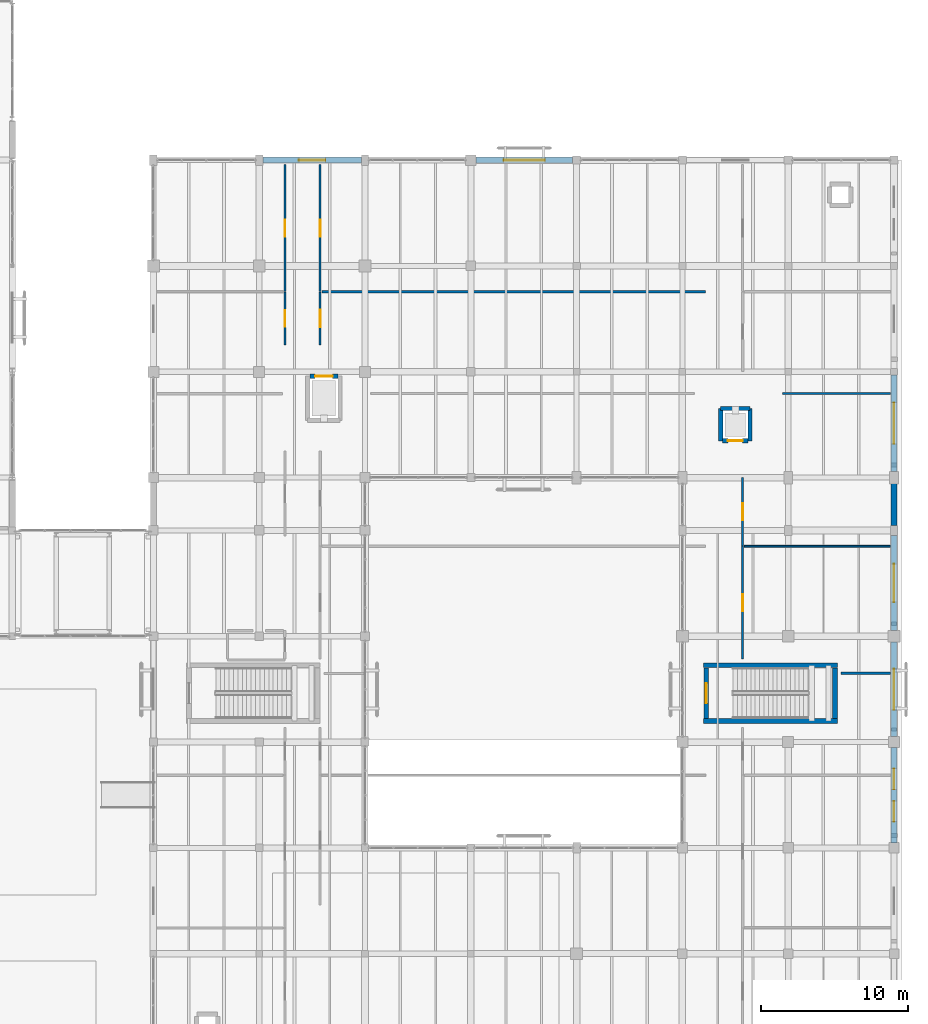
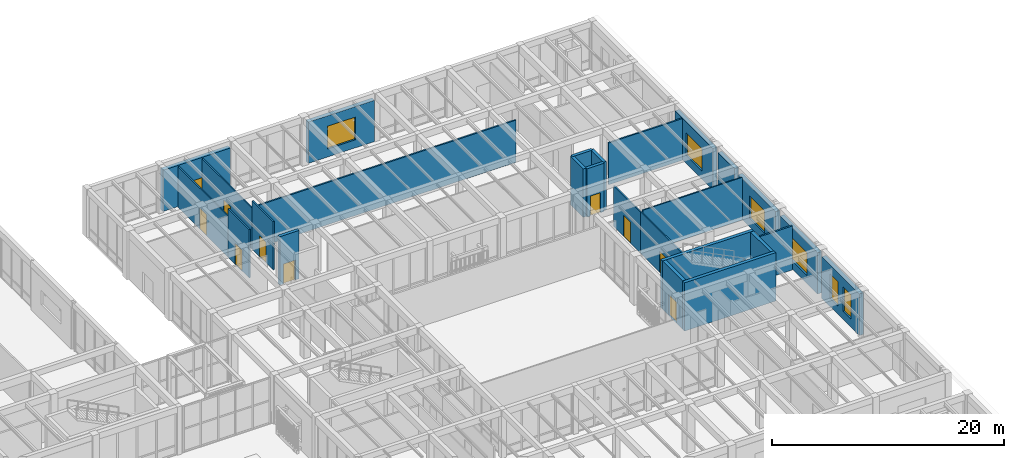
# One storey, part 132 of 169: 26 walls, 10 doors, 6 windows, 16 openings.
"""IFC4 building model written with IfcOpenShell, lengths in metres."""

from ifc_helpers import new_model, si_unit, direction, frame, frame_2d, origin, place, context, subcontext, project, spatial, rectangle, extrude, material, layer, layer_set, type_object, element, fill, save


model = new_model("IFC4")

# Units and contexts
model_context = context("Model", 3, precision=1e-05, world=origin(), true_north=direction((0.0, 1.0)))
body_context = subcontext(model_context, "Body", "Model", "MODEL_VIEW")
ifc_project = project(units=[si_unit("LENGTHUNIT", "METRE"), si_unit("AREAUNIT", "SQUARE_METRE"), si_unit("VOLUMEUNIT", "CUBIC_METRE"), si_unit("PLANEANGLEUNIT", "RADIAN"), si_unit("MASSUNIT", "GRAM", prefix="KILO")], contexts=[model_context])

# Site, building, storey
site_placement = place(None, origin())
site = spatial("IfcSite", under=ifc_project, at=site_placement, CompositionType="ELEMENT")
building_placement = place(site_placement, origin())
building = spatial("IfcBuilding", under=site, at=building_placement, Name="Mazaris Harbour Polytechnic", CompositionType="ELEMENT")
storey_placement = place(building_placement, origin())
storey = spatial("IfcBuildingStorey", under=building, at=storey_placement, Name="L00", CompositionType="ELEMENT", Elevation=0.0)

# Walls
ifc_material_1 = material(Name="Gypsum Board and Mineral Wool")
ifc_layer_1 = layer(ifc_material_1, 0.1201171875, Name="Gypsum Board and Mineral Wool")
ifc_layer_set_1 = layer_set([ifc_layer_1], Name="Gypsum Board and Mineral Wool")
wall_type_1 = type_object("IfcWallType", Name="Acoustic Stud Partition 120", PredefinedType="PARTITIONING", material=ifc_layer_set_1)
wall_1_placement = place(storey_placement, frame((162.6201171875, 81.72900390625, 0.0), z_axis=(0.0, 0.0, 1.0), x_axis=(1.0, 0.0, 0.0)))
element("IfcWall", 1, at=wall_1_placement, inside=storey, type_object=wall_type_1, Name="V5 L00 Partition 573", PredefinedType="PARTITIONING", context=body_context, shape_type="SweptSolid", body=[
    extrude(rectangle(XDim=9.929931640625, YDim=0.1201171875, at=frame_2d((4.96484375, 0.0))), origin(), (0.0, 0.0, 1.0), 4.5),
])
ifc_material_2 = material(Name="Double Gypsum and Mineral Wool")
ifc_layer_2 = layer(ifc_material_2, 0.14990234375, Name="Double Gypsum and Mineral Wool")
ifc_layer_set_2 = layer_set([ifc_layer_2], Name="Double Gypsum and Mineral Wool")
wall_type_2 = type_object("IfcWallType", Name="Classroom Acoustic Partition 150", PredefinedType="PARTITIONING", material=ifc_layer_set_2)
wall_2_placement = place(storey_placement, frame((133.8701171875, 99.0439453125, 0.0), z_axis=(0.0, 0.0, 1.0), x_axis=(1.0, 0.0, 0.0)))
element("IfcWall", 2, at=wall_2_placement, inside=storey, type_object=wall_type_2, Name="V5 L00 Partition 564", PredefinedType="PARTITIONING", context=body_context, shape_type="SweptSolid", body=[
    extrude(rectangle(XDim=26.10986328125, YDim=0.14990234375, at=frame_2d((13.054931640625, 0.0))), origin(), (0.0, 0.0, 1.0), 4.449951171875),
])
wall_3_placement = place(storey_placement, frame((165.205078125, 92.117919921875, 0.0), z_axis=(0.0, 0.0, 1.0), x_axis=(1.0, 0.0, 0.0)))
element("IfcWall", 3, at=wall_3_placement, inside=storey, type_object=wall_type_2, Name="V5 L00 Partition 575", PredefinedType="PARTITIONING", context=body_context, shape_type="SweptSolid", body=[
    extrude(rectangle(XDim=7.344970703125, YDim=0.14990234375, at=frame_2d((3.67236328125, 0.0))), origin(), (0.0, 0.0, 1.0), 4.39990234375),
])
ifc_material_3 = material(Name="Fireboard and Mineral Wool")
ifc_layer_3 = layer(ifc_material_3, 0.1650390625, Name="Fireboard and Mineral Wool")
ifc_layer_set_3 = layer_set([ifc_layer_3], Name="Fireboard and Mineral Wool")
wall_type_3 = type_object("IfcWallType", Name="Laboratory Rated Partition 165", PredefinedType="PARTITIONING", material=ifc_layer_set_3)
wall_4_placement = place(storey_placement, frame((169.205078125, 73.072021484375, 0.0), z_axis=(0.0, 0.0, 1.0), x_axis=(1.0, 0.0, 0.0)))
element("IfcWall", 4, at=wall_4_placement, inside=storey, type_object=wall_type_3, Name="V5 L00 Partition 571", PredefinedType="PARTITIONING", context=body_context, shape_type="SweptSolid", body=[
    extrude(rectangle(XDim=3.344970703125, YDim=0.1650390625, at=frame_2d((1.67236328125, 0.0))), origin(), (0.0, 0.0, 1.0), 4.64990234375),
])

# Wall, opening, door
ifc_material_4 = material(Name="Algerian Buff Limestone and Concrete C35/45", Category="masonry")
ifc_layer_4 = layer(ifc_material_4, 0.409912109375, Name="Algerian Buff Limestone and Concrete C35/45")
ifc_layer_set_4 = layer_set([ifc_layer_4], Name="Algerian Buff Limestone and Concrete C35/45")
wall_type_4 = type_object("IfcWallType", Name="Limestone Rusticated Base Wall 410", PredefinedType="STANDARD", material=ifc_layer_set_4)
wall_5_placement = place(storey_placement, frame((129.842041015625, 108.0, 0.0), z_axis=(0.0, 0.0, 1.0), x_axis=(1.0, 0.0, 0.0)))
wall_5 = element("IfcWall", 5, at=wall_5_placement, inside=storey, type_object=wall_type_4, Name="V5 L00 Exterior Wall 295", PredefinedType="STANDARD", context=body_context, shape_type="SweptSolid", body=[
    extrude(rectangle(XDim=6.716064453125, YDim=0.409912109375, at=frame_2d((3.35791015625, 0.0))), origin(), (0.0, 0.0, 1.0), 4.35009765625),
])
opening_1_placement = place(wall_5_placement, frame((2.4580078125, 0.0, 0.0)))
opening_1 = element("IfcOpeningElement", 6, at=opening_1_placement, cuts=wall_5, Name="Opening ED-03", PredefinedType="OPENING", context=body_context, shape_type="SweptSolid", body=[
    extrude(rectangle(XDim=1.800048828125, YDim=2.199951171875, at=frame_2d((0.89990234375, 1.10009765625))), frame((0.0, 0.21484375, 0.0), z_axis=(0.0, -1.0, 0.0), x_axis=(1.0, 0.0, 0.0)), (0.0, 0.0, 1.0), 0.429931640625),
])
ifc_material_5 = material(Name="Anodised Bronze Steel and Laminated Safety Glass", Category="steel")
door_type_1 = type_object("IfcDoorType", Name="Perimeter Final Exit Door 1800x2200", OperationType="DOUBLE_DOOR_SINGLE_SWING", PredefinedType="DOOR", material=ifc_material_5)
door_1_placement = place(opening_1_placement, origin())
door_1 = element("IfcDoor", 7, at=door_1_placement, inside=storey, type_object=door_type_1, Name="EXD-030", OperationType="DOUBLE_DOOR_SINGLE_SWING", OverallHeight=2.199951171875, OverallWidth=1.800048828125, PredefinedType="DOOR", context=body_context, shape_type="SweptSolid", body=[
    extrude(rectangle(XDim=1.800048828125, YDim=2.199951171875, at=frame_2d((0.89990234375, 1.10009765625))), frame((0.0, 0.02490234375, 0.0), z_axis=(0.0, -1.0, 0.0), x_axis=(1.0, 0.0, 0.0)), (0.0, 0.0, 1.0), 0.050048828125),
])
fill(opening_1, door_1)

# Wall, opening, window
wall_6_placement = place(storey_placement, frame((144.342041015625, 108.0, 0.0), z_axis=(0.0, 0.0, 1.0), x_axis=(1.0, 0.0, 0.0)))
wall_6 = element("IfcWall", 8, at=wall_6_placement, inside=storey, type_object=wall_type_4, Name="V5 L00 Exterior Wall 296", PredefinedType="STANDARD", context=body_context, shape_type="SweptSolid", body=[
    extrude(rectangle(XDim=6.591064453125, YDim=0.409912109375, at=frame_2d((3.29541015625, 0.0))), origin(), (0.0, 0.0, 1.0), 4.35009765625),
])
opening_2_placement = place(wall_6_placement, frame((1.8955078125, 0.0, 0.85009765625)))
opening_2 = element("IfcOpeningElement", 9, at=opening_2_placement, cuts=wall_6, Name="Opening WN-09", PredefinedType="OPENING", context=body_context, shape_type="SweptSolid", body=[
    extrude(rectangle(XDim=2.800048828125, YDim=2.39990234375, at=frame_2d((1.39990234375, 1.199951171875))), frame((0.0, 0.21484375, 0.0), z_axis=(0.0, -1.0, 0.0), x_axis=(1.0, 0.0, 0.0)), (0.0, 0.0, 1.0), 0.429931640625),
])
ifc_material_6 = material(Name="Thermally Broken Bronze Aluminium and Low-E Glass", Category="aluminium")
window_type_1 = type_object("IfcWindowType", Name="Studio North Window 2800x2400", PartitioningType="DOUBLE_PANEL_VERTICAL", PredefinedType="WINDOW", material=ifc_material_6)
window_1_placement = place(opening_2_placement, origin())
window_1 = element("IfcWindow", 10, at=window_1_placement, inside=storey, type_object=window_type_1, Name="WN-0354", OverallHeight=2.39990234375, OverallWidth=2.800048828125, PartitioningType="DOUBLE_PANEL_VERTICAL", PredefinedType="WINDOW", context=body_context, shape_type="SweptSolid", body=[
    extrude(rectangle(XDim=2.800048828125, YDim=2.39990234375, at=frame_2d((1.39990234375, 1.199951171875))), frame((0.0, 0.030029296875, 0.0), z_axis=(0.0, -1.0, 0.0), x_axis=(1.0, 0.0, 0.0)), (0.0, 0.0, 1.0), 0.06005859375),
])
fill(opening_2, window_1)

# Wall, openings, windows
wall_7_placement = place(storey_placement, frame((172.800048828125, 68.032958984375, 0.0), z_axis=(0.0, 0.0, 1.0), x_axis=(0.0, -1.0, 0.0)))
wall_7 = element("IfcWall", 11, at=wall_7_placement, inside=storey, type_object=wall_type_4, Name="V5 L00 Exterior Wall 304", PredefinedType="STANDARD", context=body_context, shape_type="SweptSolid", body=[
    extrude(rectangle(XDim=6.490966796875, YDim=0.409912109375, at=frame_2d((3.24560546875, 0.0))), origin(), (0.0, 0.0, 1.0), 4.39990234375),
])
opening_3_placement = place(wall_7_placement, frame((1.445556640625, 0.0, 0.85009765625)))
opening_3 = element("IfcOpeningElement", 12, at=opening_3_placement, cuts=wall_7, Name="Opening WN-01", PredefinedType="OPENING", context=body_context, shape_type="SweptSolid", body=[
    extrude(rectangle(XDim=1.39990234375, YDim=2.60009765625, at=frame_2d((0.699951171875, 1.300048828125))), frame((0.0, 0.21484375, 0.0), z_axis=(0.0, -1.0, 0.0), x_axis=(1.0, 0.0, 0.0)), (0.0, 0.0, 1.0), 0.429931640625),
])
opening_4_placement = place(wall_7_placement, frame((3.6455078125, 0.0, 0.85009765625)))
opening_4 = element("IfcOpeningElement", 13, at=opening_4_placement, cuts=wall_7, Name="Opening WN-01", PredefinedType="OPENING", context=body_context, shape_type="SweptSolid", body=[
    extrude(rectangle(XDim=1.39990234375, YDim=2.60009765625, at=frame_2d((0.699951171875, 1.300048828125))), frame((0.0, 0.21484375, 0.0), z_axis=(0.0, -1.0, 0.0), x_axis=(1.0, 0.0, 0.0)), (0.0, 0.0, 1.0), 0.429931640625),
])
ifc_material_7 = material(Name="Thermally Broken Bronze Aluminium and Low-E Glass", Category="aluminium")
window_type_2 = type_object("IfcWindowType", Name="Neoclassical Tall Window 1400x2600", PartitioningType="DOUBLE_PANEL_VERTICAL", PredefinedType="WINDOW", material=ifc_material_7)
window_2_placement = place(opening_3_placement, origin())
window_2 = element("IfcWindow", 14, at=window_2_placement, inside=storey, type_object=window_type_2, Name="WN-0357", OverallHeight=2.60009765625, OverallWidth=1.39990234375, PartitioningType="DOUBLE_PANEL_VERTICAL", PredefinedType="WINDOW", context=body_context, shape_type="SweptSolid", body=[
    extrude(rectangle(XDim=1.39990234375, YDim=2.60009765625, at=frame_2d((0.699951171875, 1.300048828125))), frame((0.0, 0.030029296875, 0.0), z_axis=(0.0, -1.0, 0.0), x_axis=(1.0, 0.0, 0.0)), (0.0, 0.0, 1.0), 0.06005859375),
])
fill(opening_3, window_2)
window_3_placement = place(opening_4_placement, origin())
window_3 = element("IfcWindow", 15, at=window_3_placement, inside=storey, type_object=window_type_2, Name="WN-0358", OverallHeight=2.60009765625, OverallWidth=1.39990234375, PartitioningType="DOUBLE_PANEL_VERTICAL", PredefinedType="WINDOW", context=body_context, shape_type="SweptSolid", body=[
    extrude(rectangle(XDim=1.39990234375, YDim=2.60009765625, at=frame_2d((0.699951171875, 1.300048828125))), frame((0.0, 0.030029296875, 0.0), z_axis=(0.0, -1.0, 0.0), x_axis=(1.0, 0.0, 0.0)), (0.0, 0.0, 1.0), 0.06005859375),
])
fill(opening_4, window_3)

# Wall, opening, window
wall_8_placement = place(storey_placement, frame((172.800048828125, 75.2080078125, 0.0), z_axis=(0.0, 0.0, 1.0), x_axis=(0.0, -1.0, 0.0)))
wall_8 = element("IfcWall", 16, at=wall_8_placement, inside=storey, type_object=wall_type_4, Name="V5 L00 Exterior Wall 305", PredefinedType="STANDARD", context=body_context, shape_type="SweptSolid", body=[
    extrude(rectangle(XDim=6.44091796875, YDim=0.409912109375, at=frame_2d((3.220458984375, 0.0))), origin(), (0.0, 0.0, 1.0), 4.35009765625),
])
opening_5_placement = place(wall_8_placement, frame((1.820556640625, 0.0, 0.85009765625)))
opening_5 = element("IfcOpeningElement", 17, at=opening_5_placement, cuts=wall_8, Name="Opening WN-09", PredefinedType="OPENING", context=body_context, shape_type="SweptSolid", body=[
    extrude(rectangle(XDim=2.800048828125, YDim=2.39990234375, at=frame_2d((1.39990234375, 1.199951171875))), frame((0.0, 0.21484375, 0.0), z_axis=(0.0, -1.0, 0.0), x_axis=(1.0, 0.0, 0.0)), (0.0, 0.0, 1.0), 0.429931640625),
])
window_4_placement = place(opening_5_placement, origin())
window_4 = element("IfcWindow", 18, at=window_4_placement, inside=storey, type_object=window_type_1, Name="WN-0359", OverallHeight=2.39990234375, OverallWidth=2.800048828125, PartitioningType="DOUBLE_PANEL_VERTICAL", PredefinedType="WINDOW", context=body_context, shape_type="SweptSolid", body=[
    extrude(rectangle(XDim=2.800048828125, YDim=2.39990234375, at=frame_2d((1.39990234375, 1.199951171875))), frame((0.0, 0.030029296875, 0.0), z_axis=(0.0, -1.0, 0.0), x_axis=(1.0, 0.0, 0.0)), (0.0, 0.0, 1.0), 0.06005859375),
])
fill(opening_5, window_4)

wall_9_placement = place(storey_placement, frame((172.800048828125, 82.4580078125, 0.0), z_axis=(0.0, 0.0, 1.0), x_axis=(0.0, -1.0, 0.0)))
wall_9 = element("IfcWall", 19, at=wall_9_placement, inside=storey, type_object=wall_type_4, Name="V5 L00 Exterior Wall 306", PredefinedType="STANDARD", context=body_context, shape_type="SweptSolid", body=[
    extrude(rectangle(XDim=6.466064453125, YDim=0.409912109375, at=frame_2d((3.23291015625, 0.0))), origin(), (0.0, 0.0, 1.0), 4.300048828125),
])
opening_6_placement = place(wall_9_placement, frame((1.93310546875, 0.0, 0.85009765625)))
opening_6 = element("IfcOpeningElement", 20, at=opening_6_placement, cuts=wall_9, Name="Opening WN-08", PredefinedType="OPENING", context=body_context, shape_type="SweptSolid", body=[
    extrude(rectangle(XDim=2.60009765625, YDim=2.39990234375, at=frame_2d((1.300048828125, 1.199951171875))), frame((0.0, 0.21484375, 0.0), z_axis=(0.0, -1.0, 0.0), x_axis=(1.0, 0.0, 0.0)), (0.0, 0.0, 1.0), 0.429931640625),
])
ifc_material_8 = material(Name="Thermally Broken Bronze Aluminium and Low-E Glass", Category="aluminium")
window_type_3 = type_object("IfcWindowType", Name="Studio North Window 2600x2400", PartitioningType="DOUBLE_PANEL_VERTICAL", PredefinedType="WINDOW", material=ifc_material_8)
window_5_placement = place(opening_6_placement, origin())
window_5 = element("IfcWindow", 21, at=window_5_placement, inside=storey, type_object=window_type_3, Name="WN-0360", OverallHeight=2.39990234375, OverallWidth=2.60009765625, PartitioningType="DOUBLE_PANEL_VERTICAL", PredefinedType="WINDOW", context=body_context, shape_type="SweptSolid", body=[
    extrude(rectangle(XDim=2.60009765625, YDim=2.39990234375, at=frame_2d((1.300048828125, 1.199951171875))), frame((0.0, 0.030029296875, 0.0), z_axis=(0.0, -1.0, 0.0), x_axis=(1.0, 0.0, 0.0)), (0.0, 0.0, 1.0), 0.06005859375),
])
fill(opening_6, window_5)

# Wall
wall_10_placement = place(storey_placement, frame((172.800048828125, 85.98291015625, 0.0), z_axis=(0.0, 0.0, 1.0), x_axis=(0.0, -1.0, 0.0)))
element("IfcWall", 22, at=wall_10_placement, inside=storey, type_object=wall_type_4, Name="V5 L00 Exterior Wall 307", PredefinedType="STANDARD", context=body_context, shape_type="SweptSolid", body=[
    extrude(rectangle(XDim=2.8408203125, YDim=0.409912109375, at=frame_2d((1.42041015625, 0.0))), origin(), (0.0, 0.0, 1.0), 4.5),
])

# Wall, opening, window
wall_11_placement = place(storey_placement, frame((172.800048828125, 93.383056640625, 0.0), z_axis=(0.0, 0.0, 1.0), x_axis=(0.0, -1.0, 0.0)))
wall_11 = element("IfcWall", 23, at=wall_11_placement, inside=storey, type_object=wall_type_4, Name="V5 L00 Exterior Wall 308", PredefinedType="STANDARD", context=body_context, shape_type="SweptSolid", body=[
    extrude(rectangle(XDim=6.566162109375, YDim=0.409912109375, at=frame_2d((3.283203125, 0.0))), origin(), (0.0, 0.0, 1.0), 4.39990234375),
])
opening_7_placement = place(wall_11_placement, frame((1.883056640625, 0.0, 0.85009765625)))
opening_7 = element("IfcOpeningElement", 24, at=opening_7_placement, cuts=wall_11, Name="Opening WN-09", PredefinedType="OPENING", context=body_context, shape_type="SweptSolid", body=[
    extrude(rectangle(XDim=2.800048828125, YDim=2.39990234375, at=frame_2d((1.39990234375, 1.199951171875))), frame((0.0, 0.21484375, 0.0), z_axis=(0.0, -1.0, 0.0), x_axis=(1.0, 0.0, 0.0)), (0.0, 0.0, 1.0), 0.429931640625),
])
window_6_placement = place(opening_7_placement, origin())
window_6 = element("IfcWindow", 25, at=window_6_placement, inside=storey, type_object=window_type_1, Name="WN-0361", OverallHeight=2.39990234375, OverallWidth=2.800048828125, PartitioningType="DOUBLE_PANEL_VERTICAL", PredefinedType="WINDOW", context=body_context, shape_type="SweptSolid", body=[
    extrude(rectangle(XDim=2.800048828125, YDim=2.39990234375, at=frame_2d((1.39990234375, 1.199951171875))), frame((0.0, 0.030029296875, 0.0), z_axis=(0.0, -1.0, 0.0), x_axis=(1.0, 0.0, 0.0)), (0.0, 0.0, 1.0), 0.06005859375),
])
fill(opening_7, window_6)

# Walls
ifc_material_9 = material(Name="Concrete C40/50", Category="concrete")
ifc_layer_5 = layer(ifc_material_9, 0.324951171875, Name="Concrete C40/50")
ifc_layer_set_5 = layer_set([ifc_layer_5], Name="Concrete C40/50")
wall_type_5 = type_object("IfcWallType", Name="RC Core Shear Wall 325", PredefinedType="SHEAR", material=ifc_layer_set_5)
for number, where, z_axis, x_axis, name in (
    (26, (159.85009765625, 69.824951171875, 0.0), (0.0, 0.0, 1.0), (1.0, 0.0, 0.0), "Core ST10 L00 Shear Wall S"),
    (27, (168.949951171875, 73.625, 0.0), (0.0, 0.0, 1.0), (-1.0, 0.0, 0.0), "Core ST10 L00 Shear Wall N"),
):
    element("IfcWall", number, at=place(storey_placement, frame(where, z_axis=z_axis, x_axis=x_axis)), inside=storey, type_object=wall_type_5, Name=name, PredefinedType="SHEAR", context=body_context, shape_type="SweptSolid", body=[
        extrude(rectangle(XDim=9.099853515625, YDim=0.324951171875, at=frame_2d((4.5498046875, 0.0))), origin(), (0.0, 0.0, 1.0), 5.10009765625),
    ])
wall_12_placement = place(storey_placement, frame((168.77490234375, 70.0, 0.0), z_axis=(0.0, 0.0, 1.0), x_axis=(0.0, 1.0, 0.0)))
element("IfcWall", 28, at=wall_12_placement, inside=storey, type_object=wall_type_5, Name="Core ST10 L00 Shear Wall E", PredefinedType="SHEAR", context=body_context, shape_type="SweptSolid", body=[
    extrude(rectangle(XDim=3.449951171875, YDim=0.324951171875, at=frame_2d((1.72509765625, 0.0))), origin(), (0.0, 0.0, 1.0), 5.10009765625),
])

# Wall, opening, door
wall_13_placement = place(storey_placement, frame((160.02490234375, 73.449951171875, 0.0), z_axis=(0.0, 0.0, 1.0), x_axis=(0.0, -1.0, 0.0)))
wall_13 = element("IfcWall", 29, at=wall_13_placement, inside=storey, type_object=wall_type_5, Name="Core ST10 L00 Entrance Shear Wall", PredefinedType="SHEAR", context=body_context, shape_type="SweptSolid", body=[
    extrude(rectangle(XDim=3.449951171875, YDim=0.324951171875, at=frame_2d((1.72509765625, 0.0))), origin(), (0.0, 0.0, 1.0), 5.10009765625),
])
opening_8_placement = place(wall_13_placement, frame((1.034912109375, 0.0, 0.0)))
opening_8 = element("IfcOpeningElement", 30, at=opening_8_placement, cuts=wall_13, Name="Opening SD-01", PredefinedType="OPENING", context=body_context, shape_type="SweptSolid", body=[
    extrude(rectangle(XDim=1.3798828125, YDim=2.199951171875, at=frame_2d((0.68994140625, 1.10009765625))), frame((0.0, 0.17236328125, 0.0), z_axis=(0.0, -1.0, 0.0), x_axis=(1.0, 0.0, 0.0)), (0.0, 0.0, 1.0), 0.344970703125),
])
ifc_material_10 = material(Name="Glulam Timber and Fire Glass", Category="wood")
door_type_2 = type_object("IfcDoorType", Name="Protected Stair Lobby Fire Door 1380x2200", OperationType="DOUBLE_DOOR_SINGLE_SWING", PredefinedType="DOOR", material=ifc_material_10)
door_2_placement = place(opening_8_placement, origin())
door_2 = element("IfcDoor", 31, at=door_2_placement, inside=storey, type_object=door_type_2, Name="SD-049", OperationType="DOUBLE_DOOR_SINGLE_SWING", OverallHeight=2.199951171875, OverallWidth=1.3798828125, PredefinedType="DOOR", context=body_context, shape_type="SweptSolid", body=[
    extrude(rectangle(XDim=1.3798828125, YDim=2.199951171875, at=frame_2d((0.68994140625, 1.10009765625))), frame((0.0, 0.02490234375, 0.0), z_axis=(0.0, -1.0, 0.0), x_axis=(1.0, 0.0, 0.0)), (0.0, 0.0, 1.0), 0.050048828125),
])
fill(opening_8, door_2)

# Walls
ifc_material_11 = material(Name="Concrete C40/50", Category="concrete")
ifc_layer_6 = layer(ifc_material_11, 0.300048828125, Name="Concrete C40/50")
ifc_layer_set_6 = layer_set([ifc_layer_6], Name="Concrete C40/50")
wall_type_6 = type_object("IfcWallType", Name="RC Lift Shaft Wall 300", PredefinedType="SHEAR", material=ifc_layer_set_6)
wall_14_placement = place(storey_placement, frame((163.0, 91.10009765625, 0.0), z_axis=(0.0, 0.0, 1.0), x_axis=(-1.0, 0.0, 0.0)))
element("IfcWall", 32, at=wall_14_placement, inside=storey, type_object=wall_type_6, Name="Lift LP-04 L00 North Shaft Wall", PredefinedType="SHEAR", context=body_context, shape_type="SweptSolid", body=[
    extrude(rectangle(XDim=2.0, YDim=0.300048828125, at=frame_2d((1.0, 0.0))), origin(), (0.0, 0.0, 1.0), 5.10009765625),
])
for number, where, z_axis, x_axis, name in (
    (33, (161.0, 91.10009765625, 0.0), (0.0, 0.0, 1.0), (0.0, -1.0, 0.0), "Lift LP-04 L00 West Shaft Wall"),
    (34, (163.0, 88.89990234375, 0.0), (0.0, 0.0, 1.0), (0.0, 1.0, 0.0), "Lift LP-04 L00 East Shaft Wall"),
):
    element("IfcWall", number, at=place(storey_placement, frame(where, z_axis=z_axis, x_axis=x_axis)), inside=storey, type_object=wall_type_6, Name=name, PredefinedType="SHEAR", context=body_context, shape_type="SweptSolid", body=[
        extrude(rectangle(XDim=2.2001953125, YDim=0.300048828125, at=frame_2d((1.10009765625, 0.0))), origin(), (0.0, 0.0, 1.0), 5.10009765625),
    ])

# Wall, opening, door
wall_15_placement = place(storey_placement, frame((133.0400390625, 93.300048828125, 0.0), z_axis=(0.0, 0.0, 1.0), x_axis=(1.0, 0.0, 0.0)))
wall_15 = element("IfcWall", 35, at=wall_15_placement, inside=storey, type_object=wall_type_6, Name="Lift LF-02 L00 Front Shaft Wall", PredefinedType="SHEAR", context=body_context, shape_type="SweptSolid", body=[
    extrude(rectangle(XDim=1.919921875, YDim=0.300048828125, at=frame_2d((0.9599609375, 0.0))), origin(), (0.0, 0.0, 1.0), 5.10009765625),
])
opening_9_placement = place(wall_15_placement, frame((0.360107421875, 0.0, 0.0)))
opening_9 = element("IfcOpeningElement", 36, at=opening_9_placement, cuts=wall_15, Name="Opening LD-02", PredefinedType="OPENING", context=body_context, shape_type="SweptSolid", body=[
    extrude(rectangle(XDim=1.199951171875, YDim=2.10009765625, at=frame_2d((0.60009765625, 1.050048828125))), frame((0.0, 0.159912109375, 0.0), z_axis=(0.0, -1.0, 0.0), x_axis=(1.0, 0.0, 0.0)), (0.0, 0.0, 1.0), 0.320068359375),
])
ifc_material_12 = material(Name="Stainless Steel S355", Category="steel")
door_type_3 = type_object("IfcDoorType", Name="Sliding Firefighting Lift Landing Door 1200x2100", OperationType="SLIDING_TO_LEFT", PredefinedType="DOOR", material=ifc_material_12)
door_3_placement = place(opening_9_placement, origin())
door_3 = element("IfcDoor", 37, at=door_3_placement, inside=storey, type_object=door_type_3, Name="LD-009", OperationType="SLIDING_TO_LEFT", OverallHeight=2.10009765625, OverallWidth=1.199951171875, PredefinedType="DOOR", context=body_context, shape_type="SweptSolid", body=[
    extrude(rectangle(XDim=1.199951171875, YDim=2.10009765625, at=frame_2d((0.60009765625, 1.050048828125))), frame((0.0, 0.02490234375, 0.0), z_axis=(0.0, -1.0, 0.0), x_axis=(1.0, 0.0, 0.0)), (0.0, 0.0, 1.0), 0.050048828125),
])
fill(opening_9, door_3)

wall_16_placement = place(storey_placement, frame((162.860107421875, 88.89990234375, 0.0), z_axis=(0.0, 0.0, 1.0), x_axis=(-1.0, 0.0, 0.0)))
wall_16 = element("IfcWall", 38, at=wall_16_placement, inside=storey, type_object=wall_type_6, Name="Lift LP-04 L00 Front Shaft Wall", PredefinedType="SHEAR", context=body_context, shape_type="SweptSolid", body=[
    extrude(rectangle(XDim=1.72021484375, YDim=0.300048828125, at=frame_2d((0.860107421875, 0.0))), origin(), (0.0, 0.0, 1.0), 5.10009765625),
])
opening_10_placement = place(wall_16_placement, frame((0.360107421875, 0.0, 0.0)))
opening_10 = element("IfcOpeningElement", 39, at=opening_10_placement, cuts=wall_16, Name="Opening LD-01", PredefinedType="OPENING", context=body_context, shape_type="SweptSolid", body=[
    extrude(rectangle(XDim=1.0, YDim=2.10009765625, at=frame_2d((0.5, 1.050048828125))), frame((0.0, 0.159912109375, 0.0), z_axis=(0.0, -1.0, 0.0), x_axis=(1.0, 0.0, 0.0)), (0.0, 0.0, 1.0), 0.320068359375),
])
ifc_material_13 = material(Name="Stainless Steel S355", Category="steel")
door_type_4 = type_object("IfcDoorType", Name="Sliding Passenger Lift Landing Door 1000x2100", OperationType="SLIDING_TO_LEFT", PredefinedType="DOOR", material=ifc_material_13)
door_4_placement = place(opening_10_placement, origin())
door_4 = element("IfcDoor", 40, at=door_4_placement, inside=storey, type_object=door_type_4, Name="LD-031", OperationType="SLIDING_TO_LEFT", OverallHeight=2.10009765625, OverallWidth=1.0, PredefinedType="DOOR", context=body_context, shape_type="SweptSolid", body=[
    extrude(rectangle(XDim=1.0, YDim=2.10009765625, at=frame_2d((0.5, 1.050048828125))), frame((0.0, 0.02490234375, 0.0), z_axis=(0.0, -1.0, 0.0), x_axis=(1.0, 0.0, 0.0)), (0.0, 0.0, 1.0), 0.050048828125),
])
fill(opening_10, door_4)

ifc_material_14 = material(Name="Gypsum Board and Mineral Wool")
ifc_layer_7 = layer(ifc_material_14, 0.135009765625, Name="Gypsum Board and Mineral Wool")
ifc_layer_set_7 = layer_set([ifc_layer_7], Name="Gypsum Board and Mineral Wool")
wall_type_7 = type_object("IfcWallType", Name="Studio Partition Wall 135", PredefinedType="PARTITIONING", material=ifc_layer_set_7)
wall_17_placement = place(storey_placement, frame((131.35009765625, 95.405029296875, 0.0), z_axis=(0.0, 0.0, 1.0), x_axis=(0.0, 1.0, 0.0)))
wall_17 = element("IfcWall", 41, at=wall_17_placement, inside=storey, type_object=wall_type_7, Name="V5 L00 Partition 551", PredefinedType="PARTITIONING", context=body_context, shape_type="SweptSolid", body=[
    extrude(rectangle(XDim=3.638916015625, YDim=0.135009765625, at=frame_2d((1.8193359375, 0.0))), origin(), (0.0, 0.0, 1.0), 5.10009765625),
])
opening_11_placement = place(wall_17_placement, frame((1.244384765625, 0.0, 0.0)))
opening_11 = element("IfcOpeningElement", 42, at=opening_11_placement, cuts=wall_17, Name="Opening ID-03L", PredefinedType="OPENING", context=body_context, shape_type="SweptSolid", body=[
    extrude(rectangle(XDim=1.14990234375, YDim=2.199951171875, at=frame_2d((0.574951171875, 1.10009765625))), frame((0.0, 0.077392578125, 0.0), z_axis=(0.0, -1.0, 0.0), x_axis=(1.0, 0.0, 0.0)), (0.0, 0.0, 1.0), 0.155029296875),
])
ifc_material_15 = material(Name="Glulam Timber and Acoustic Glass", Category="wood")
door_type_5 = type_object("IfcDoorType", Name="Design Studio Door LH 1150x2200", OperationType="SINGLE_SWING_LEFT", PredefinedType="DOOR", material=ifc_material_15)
door_5_placement = place(opening_11_placement, origin())
door_5 = element("IfcDoor", 43, at=door_5_placement, inside=storey, type_object=door_type_5, Name="ID-0264", OperationType="SINGLE_SWING_LEFT", OverallHeight=2.199951171875, OverallWidth=1.14990234375, PredefinedType="DOOR", context=body_context, shape_type="SweptSolid", body=[
    extrude(rectangle(XDim=1.14990234375, YDim=2.199951171875, at=frame_2d((0.574951171875, 1.10009765625))), frame((0.0, 0.02490234375, 0.0), z_axis=(0.0, -1.0, 0.0), x_axis=(1.0, 0.0, 0.0)), (0.0, 0.0, 1.0), 0.050048828125),
])
fill(opening_11, door_5)

wall_18_placement = place(storey_placement, frame((131.35009765625, 99.049072265625, 0.0), z_axis=(0.0, 0.0, 1.0), x_axis=(0.0, 1.0, 0.0)))
wall_18 = element("IfcWall", 44, at=wall_18_placement, inside=storey, type_object=wall_type_7, Name="V5 L00 Partition 553", PredefinedType="PARTITIONING", context=body_context, shape_type="SweptSolid", body=[
    extrude(rectangle(XDim=8.65185546875, YDim=0.135009765625, at=frame_2d((4.325927734375, 0.0))), origin(), (0.0, 0.0, 1.0), 4.300048828125),
])
opening_12_placement = place(wall_18_placement, frame((3.74609375, 0.0, 0.0)))
opening_12 = element("IfcOpeningElement", 45, at=opening_12_placement, cuts=wall_18, Name="Opening ID-03R", PredefinedType="OPENING", context=body_context, shape_type="SweptSolid", body=[
    extrude(rectangle(XDim=1.159912109375, YDim=2.199951171875, at=frame_2d((0.580078125, 1.10009765625))), frame((0.0, 0.077392578125, 0.0), z_axis=(0.0, -1.0, 0.0), x_axis=(1.0, 0.0, 0.0)), (0.0, 0.0, 1.0), 0.155029296875),
])
ifc_material_16 = material(Name="Glulam Timber and Acoustic Glass", Category="wood")
door_type_6 = type_object("IfcDoorType", Name="Design Studio Door RH 1160x2200", OperationType="SINGLE_SWING_RIGHT", PredefinedType="DOOR", material=ifc_material_16)
door_6_placement = place(opening_12_placement, origin())
door_6 = element("IfcDoor", 46, at=door_6_placement, inside=storey, type_object=door_type_6, Name="ID-0265", OperationType="SINGLE_SWING_RIGHT", OverallHeight=2.199951171875, OverallWidth=1.159912109375, PredefinedType="DOOR", context=body_context, shape_type="SweptSolid", body=[
    extrude(rectangle(XDim=1.159912109375, YDim=2.199951171875, at=frame_2d((0.580078125, 1.10009765625))), frame((0.0, 0.02490234375, 0.0), z_axis=(0.0, -1.0, 0.0), x_axis=(1.0, 0.0, 0.0)), (0.0, 0.0, 1.0), 0.050048828125),
])
fill(opening_12, door_6)

wall_19_placement = place(storey_placement, frame((133.75, 95.405029296875, 0.0), z_axis=(0.0, 0.0, 1.0), x_axis=(0.0, 1.0, 0.0)))
wall_19 = element("IfcWall", 47, at=wall_19_placement, inside=storey, type_object=wall_type_7, Name="V5 L00 Partition 563", PredefinedType="PARTITIONING", context=body_context, shape_type="SweptSolid", body=[
    extrude(rectangle(XDim=3.638916015625, YDim=0.135009765625, at=frame_2d((1.8193359375, 0.0))), origin(), (0.0, 0.0, 1.0), 5.10009765625),
])
opening_13_placement = place(wall_19_placement, frame((1.239501953125, 0.0, 0.0)))
opening_13 = element("IfcOpeningElement", 48, at=opening_13_placement, cuts=wall_19, Name="Opening ID-03R", PredefinedType="OPENING", context=body_context, shape_type="SweptSolid", body=[
    extrude(rectangle(XDim=1.159912109375, YDim=2.199951171875, at=frame_2d((0.580078125, 1.10009765625))), frame((0.0, 0.077392578125, 0.0), z_axis=(0.0, -1.0, 0.0), x_axis=(1.0, 0.0, 0.0)), (0.0, 0.0, 1.0), 0.155029296875),
])
door_7_placement = place(opening_13_placement, origin())
door_7 = element("IfcDoor", 49, at=door_7_placement, inside=storey, type_object=door_type_6, Name="ID-0270", OperationType="SINGLE_SWING_RIGHT", OverallHeight=2.199951171875, OverallWidth=1.159912109375, PredefinedType="DOOR", context=body_context, shape_type="SweptSolid", body=[
    extrude(rectangle(XDim=1.159912109375, YDim=2.199951171875, at=frame_2d((0.580078125, 1.10009765625))), frame((0.0, 0.02490234375, 0.0), z_axis=(0.0, -1.0, 0.0), x_axis=(1.0, 0.0, 0.0)), (0.0, 0.0, 1.0), 0.050048828125),
])
fill(opening_13, door_7)

wall_20_placement = place(storey_placement, frame((133.75, 99.049072265625, 0.0), z_axis=(0.0, 0.0, 1.0), x_axis=(0.0, 1.0, 0.0)))
wall_20 = element("IfcWall", 50, at=wall_20_placement, inside=storey, type_object=wall_type_7, Name="V5 L00 Partition 565", PredefinedType="PARTITIONING", context=body_context, shape_type="SweptSolid", body=[
    extrude(rectangle(XDim=8.65185546875, YDim=0.135009765625, at=frame_2d((4.325927734375, 0.0))), origin(), (0.0, 0.0, 1.0), 4.300048828125),
])
opening_14_placement = place(wall_20_placement, frame((3.7509765625, 0.0, 0.0)))
opening_14 = element("IfcOpeningElement", 51, at=opening_14_placement, cuts=wall_20, Name="Opening ID-03L", PredefinedType="OPENING", context=body_context, shape_type="SweptSolid", body=[
    extrude(rectangle(XDim=1.14990234375, YDim=2.199951171875, at=frame_2d((0.574951171875, 1.10009765625))), frame((0.0, 0.077392578125, 0.0), z_axis=(0.0, -1.0, 0.0), x_axis=(1.0, 0.0, 0.0)), (0.0, 0.0, 1.0), 0.155029296875),
])
door_8_placement = place(opening_14_placement, origin())
door_8 = element("IfcDoor", 52, at=door_8_placement, inside=storey, type_object=door_type_5, Name="ID-0271", OperationType="SINGLE_SWING_LEFT", OverallHeight=2.199951171875, OverallWidth=1.14990234375, PredefinedType="DOOR", context=body_context, shape_type="SweptSolid", body=[
    extrude(rectangle(XDim=1.14990234375, YDim=2.199951171875, at=frame_2d((0.574951171875, 1.10009765625))), frame((0.0, 0.02490234375, 0.0), z_axis=(0.0, -1.0, 0.0), x_axis=(1.0, 0.0, 0.0)), (0.0, 0.0, 1.0), 0.050048828125),
])
fill(opening_14, door_8)

wall_21_placement = place(storey_placement, frame((162.5, 74.054931640625, 0.0), z_axis=(0.0, 0.0, 1.0), x_axis=(0.0, 1.0, 0.0)))
wall_21 = element("IfcWall", 53, at=wall_21_placement, inside=storey, type_object=wall_type_7, Name="V5 L00 Partition 572", PredefinedType="PARTITIONING", context=body_context, shape_type="SweptSolid", body=[
    extrude(rectangle(XDim=7.674072265625, YDim=0.135009765625, at=frame_2d((3.8369140625, 0.0))), origin(), (0.0, 0.0, 1.0), 4.35009765625),
])
opening_15_placement = place(wall_21_placement, frame((3.261962890625, 0.0, 0.0)))
opening_15 = element("IfcOpeningElement", 54, at=opening_15_placement, cuts=wall_21, Name="Opening ID-03L", PredefinedType="OPENING", context=body_context, shape_type="SweptSolid", body=[
    extrude(rectangle(XDim=1.14990234375, YDim=2.199951171875, at=frame_2d((0.574951171875, 1.10009765625))), frame((0.0, 0.077392578125, 0.0), z_axis=(0.0, -1.0, 0.0), x_axis=(1.0, 0.0, 0.0)), (0.0, 0.0, 1.0), 0.155029296875),
])
door_9_placement = place(opening_15_placement, origin())
door_9 = element("IfcDoor", 55, at=door_9_placement, inside=storey, type_object=door_type_5, Name="ID-0275", OperationType="SINGLE_SWING_LEFT", OverallHeight=2.199951171875, OverallWidth=1.14990234375, PredefinedType="DOOR", context=body_context, shape_type="SweptSolid", body=[
    extrude(rectangle(XDim=1.14990234375, YDim=2.199951171875, at=frame_2d((0.574951171875, 1.10009765625))), frame((0.0, 0.02490234375, 0.0), z_axis=(0.0, -1.0, 0.0), x_axis=(1.0, 0.0, 0.0)), (0.0, 0.0, 1.0), 0.050048828125),
])
fill(opening_15, door_9)

wall_22_placement = place(storey_placement, frame((162.5, 81.73388671875, 0.0), z_axis=(0.0, 0.0, 1.0), x_axis=(0.0, 1.0, 0.0)))
wall_22 = element("IfcWall", 56, at=wall_22_placement, inside=storey, type_object=wall_type_7, Name="V5 L00 Partition 574", PredefinedType="PARTITIONING", context=body_context, shape_type="SweptSolid", body=[
    extrude(rectangle(XDim=4.6611328125, YDim=0.135009765625, at=frame_2d((2.33056640625, 0.0))), origin(), (0.0, 0.0, 1.0), 4.300048828125),
])
opening_16_placement = place(wall_22_placement, frame((1.75048828125, 0.0, 0.0)))
opening_16 = element("IfcOpeningElement", 57, at=opening_16_placement, cuts=wall_22, Name="Opening ID-03R", PredefinedType="OPENING", context=body_context, shape_type="SweptSolid", body=[
    extrude(rectangle(XDim=1.159912109375, YDim=2.199951171875, at=frame_2d((0.580078125, 1.10009765625))), frame((0.0, 0.077392578125, 0.0), z_axis=(0.0, -1.0, 0.0), x_axis=(1.0, 0.0, 0.0)), (0.0, 0.0, 1.0), 0.155029296875),
])
door_10_placement = place(opening_16_placement, origin())
door_10 = element("IfcDoor", 58, at=door_10_placement, inside=storey, type_object=door_type_6, Name="ID-0276", OperationType="SINGLE_SWING_RIGHT", OverallHeight=2.199951171875, OverallWidth=1.159912109375, PredefinedType="DOOR", context=body_context, shape_type="SweptSolid", body=[
    extrude(rectangle(XDim=1.159912109375, YDim=2.199951171875, at=frame_2d((0.580078125, 1.10009765625))), frame((0.0, 0.02490234375, 0.0), z_axis=(0.0, -1.0, 0.0), x_axis=(1.0, 0.0, 0.0)), (0.0, 0.0, 1.0), 0.050048828125),
])
fill(opening_16, door_10)

save(model, "model.ifc")
